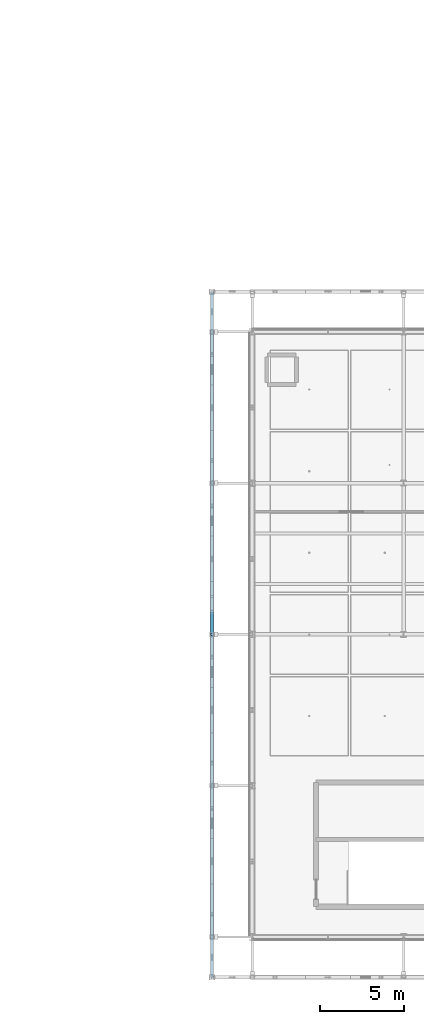
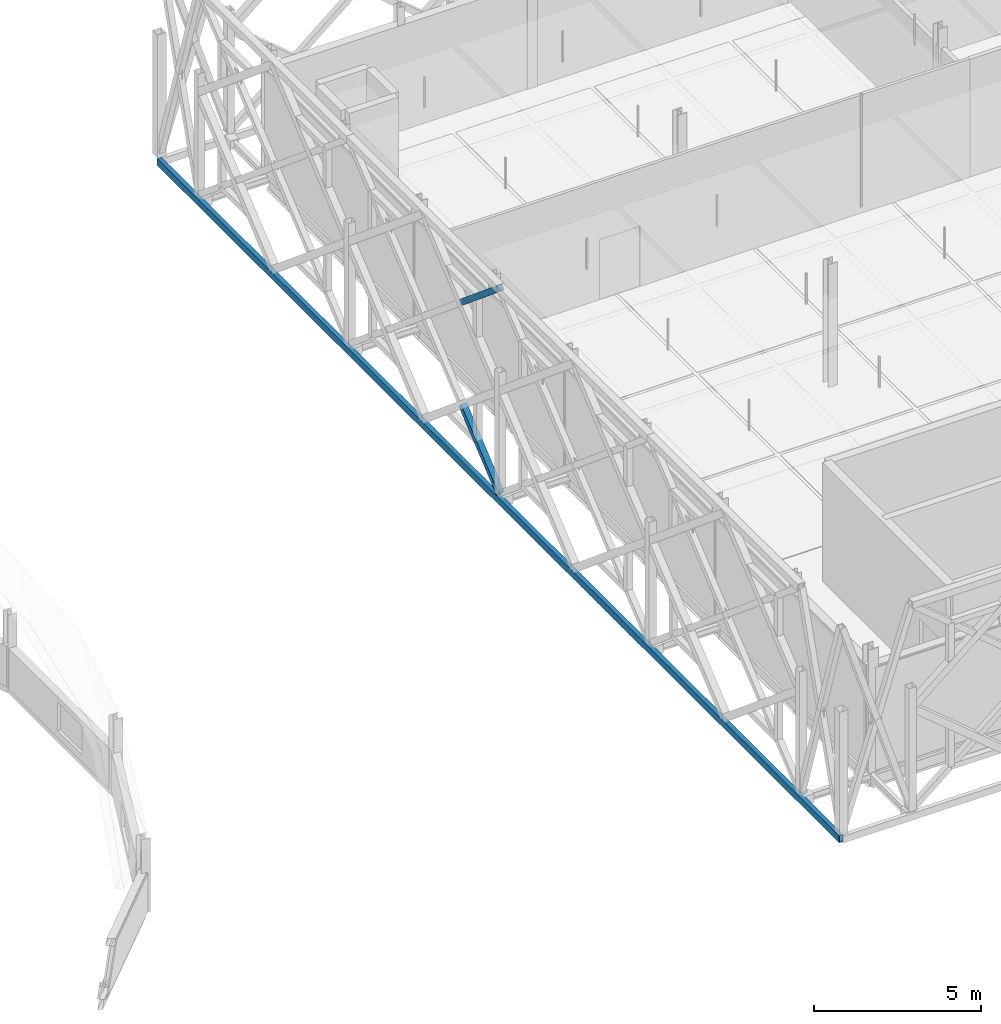
# One storey, part 13 of 66: 2 members, 1 beam.
"""IFC4 building model written with IfcOpenShell, lengths in metres."""

import ifcopenshell
import ifcopenshell.guid

model = None  # the IFC model being written
_history = None  # IfcOwnerHistory: only IFC2X3 demands one
_inside = {}  # id of a spatial element -> (the spatial element, [elements in it])
_under = {}  # id of a project, library or spatial element -> (it, [spatial elements below it])
_declared = {}  # id of a project -> (the project, [libraries it declares])
_typed = {}  # id of a type object -> (the type object, [elements of that type])
_made_of = {}  # id of a material, layer set ... -> (it, [elements and type objects made of it])


def new_model(schema):
    """Start an empty IFC model of exactly this schema.

    Asked for "IFC4X3", IfcOpenShell would pick the latest addendum, in which some entities
    have other attributes; the version numbers below select the first issue.
    IFC2X3 requires an IfcOwnerHistory on every rooted entity: one is made here for all.
    """
    global model, _history
    if schema == "IFC4X3":
        model = ifcopenshell.file(schema_version=(4, 3, 0, 0))
    else:
        model = ifcopenshell.file(schema=schema)
    _inside.clear()
    _under.clear()
    _declared.clear()
    _typed.clear()
    _made_of.clear()
    _history = None
    if model.schema == "IFC2X3":
        org = make("IfcOrganization", Name="unknown")
        user = make(
            "IfcPersonAndOrganization",
            ThePerson=make("IfcPerson", FamilyName="unknown"),
            TheOrganization=org,
        )
        app = make(
            "IfcApplication",
            ApplicationDeveloper=org,
            Version="unknown",
            ApplicationFullName="unknown",
            ApplicationIdentifier="unknown",
        )
        _history = make(
            "IfcOwnerHistory",
            OwningUser=user,
            OwningApplication=app,
            ChangeAction="ADDED",
            CreationDate=0,
        )
    return model


def make(cls, **values):
    """One entity of the class cls with the attributes given. An attribute that is None is left unset."""
    return model.create_entity(
        cls, **{name: value for name, value in values.items() if value is not None}
    )


def rooted(cls, **values):
    """An entity with a GlobalId (a new one), such as an element, a storey or a relation."""
    return make(cls, GlobalId=ifcopenshell.guid.new(), OwnerHistory=_history, **values)


def si_unit(unit_type, name, prefix=None):
    """IfcSIUnit, for example si_unit("LENGTHUNIT", "METRE", prefix="MILLI")."""
    return make("IfcSIUnit", UnitType=unit_type, Prefix=prefix, Name=name)


def assignment(units):
    """IfcUnitAssignment: the units of a project."""
    return None if units is None else make("IfcUnitAssignment", Units=units)


def point(xyz):
    """IfcCartesianPoint."""
    return None if xyz is None else make("IfcCartesianPoint", Coordinates=xyz)


def direction(xyz):
    """IfcDirection."""
    return None if xyz is None else make("IfcDirection", DirectionRatios=xyz)


def frame(location, z_axis=None, x_axis=None):
    """IfcAxis2Placement3D, a coordinate frame: its origin and axes. An axis left out is left unset."""
    return make(
        "IfcAxis2Placement3D",
        Location=point(location),
        Axis=direction(z_axis),
        RefDirection=direction(x_axis),
    )


def frame_2d(location, x_axis=None):
    """IfcAxis2Placement2D, a coordinate frame in the plane: its origin and x axis."""
    return make(
        "IfcAxis2Placement2D", Location=point(location), RefDirection=direction(x_axis)
    )


def origin():
    """The frame at (0, 0, 0) with its axes left unset."""
    return frame((0.0, 0.0, 0.0))


def origin_2d():
    """The frame at (0, 0) in the plane with its x axis left unset."""
    return frame_2d((0.0, 0.0))


def place(relative_to, where):
    """IfcLocalPlacement: puts the frame where relative to a parent placement (None: the world)."""
    return make(
        "IfcLocalPlacement", PlacementRelTo=relative_to, RelativePlacement=where
    )


def context(
    kind, dimensions, precision=None, world=None, true_north=None, identifier=None
):
    """IfcGeometricRepresentationContext, for example the 3D "Model" context."""
    return make(
        "IfcGeometricRepresentationContext",
        ContextIdentifier=identifier,
        ContextType=kind,
        CoordinateSpaceDimension=dimensions,
        Precision=precision,
        WorldCoordinateSystem=world,
        TrueNorth=true_north,
    )


def subcontext(parent, identifier, kind, view, scale=None):
    """IfcGeometricRepresentationSubContext, for example "Body" below "Model"."""
    return make(
        "IfcGeometricRepresentationSubContext",
        ContextIdentifier=identifier,
        ContextType=kind,
        ParentContext=parent,
        TargetScale=scale,
        TargetView=view,
    )


def project(units=None, contexts=None):
    """IfcProject with its units and contexts."""
    return rooted(
        "IfcProject",
        Name="project",
        RepresentationContexts=contexts,
        UnitsInContext=assignment(units),
    )


def spatial(cls, under=None, at=None, **own):
    """A site, building, storey or space (cls), placed at a placement, below another one or the project."""
    s = rooted(cls, ObjectPlacement=at, **own)
    if under is not None:
        _under.setdefault(under.id(), (under, []))[1].append(s)
    return s


def profile(cls, at=None, kind="AREA", **sizes):
    """A parametric profile (cls). Its sizes go by their IFC names, for example OverallWidth=200.0."""
    return make(cls, ProfileType=kind, Position=at, **sizes)


def hollow_rectangle(**sizes):
    """IfcRectangleHollowProfileDef."""
    return profile("IfcRectangleHollowProfileDef", **sizes)


def extrude(swept, where, along, depth):
    """IfcExtrudedAreaSolid: the profile swept, set in the frame where, extruded along a direction by depth."""
    return make(
        "IfcExtrudedAreaSolid",
        SweptArea=swept,
        Position=where,
        ExtrudedDirection=direction(along),
        Depth=depth,
    )


def shape(context_of_items, identifier, shape_type, items):
    """IfcShapeRepresentation: the items that make up one representation, for example the "Body"."""
    return make(
        "IfcShapeRepresentation",
        ContextOfItems=context_of_items,
        RepresentationIdentifier=identifier,
        RepresentationType=shape_type,
        Items=items,
    )


def material(Name=None, Category=None):
    """IfcMaterial."""
    return make("IfcMaterial", Name=Name, Category=Category)


def material_profile(
    of_material, cross_section, Name=None, Category=None, Priority=None
):
    """IfcMaterialProfile: a cross section and its material."""
    return make(
        "IfcMaterialProfile",
        Name=Name,
        Material=of_material,
        Profile=cross_section,
        Priority=Priority,
        Category=Category,
    )


def profile_set(profiles, Name=None, composite=None):
    """IfcMaterialProfileSet."""
    return make(
        "IfcMaterialProfileSet",
        Name=Name,
        MaterialProfiles=profiles,
        CompositeProfile=composite,
    )


def made_of(thing, what):
    """Note that an element or type object is made of a material, layer set ...; save() writes the relation."""
    if what is not None:
        _made_of.setdefault(what.id(), (what, []))[1].append(thing)
    return thing


def type_object(cls, material=None, **own):
    """A type object (cls), such as IfcWallType, which elements share."""
    return made_of(rooted(cls, **own), material)


def element(
    cls,
    number,
    at=None,
    inside=None,
    cuts=None,
    type_object=None,
    material=None,
    context=None,
    identifier="Body",
    shape_type=None,
    held_by="IfcProductDefinitionShape",
    body=None,
    shapes=None,
    **own,
):
    """One element of the class cls, such as IfcWall. Its Tag is "e" and its number.

    at: its placement. inside: the storey or other place that contains it. cuts: it is an
    opening in that element (IfcRelVoidsElement). A single representation is given by context,
    identifier, shape_type and body (its items); several are given by shapes. held_by: the class
    of the entity that holds the representations. save() writes the other relations.
    """
    e = rooted(cls, Tag="e%d" % number, ObjectPlacement=at, **own)
    if body is not None:
        shapes = [shape(context, identifier, shape_type, body)]
    if shapes is not None:
        e.Representation = make(held_by, Representations=shapes)
    if inside is not None:
        _inside.setdefault(inside.id(), (inside, []))[1].append(e)
    if cuts is not None:
        rooted(
            "IfcRelVoidsElement", RelatingBuildingElement=cuts, RelatedOpeningElement=e
        )
    if type_object is not None:
        _typed.setdefault(type_object.id(), (type_object, []))[1].append(e)
    return made_of(e, material)


def aggregate(whole, parts):
    """IfcRelAggregates: a whole, such as a stair, and the parts it consists of."""
    return rooted("IfcRelAggregates", RelatingObject=whole, RelatedObjects=parts)


def save(model, path):
    """Write the relations noted so far, then the file.

    IfcRelAggregates (storeys below a building ...), IfcRelContainedInSpatialStructure (elements
    in a storey), IfcRelDefinesByType, IfcRelAssociatesMaterial and IfcRelDeclares: one each for
    every whole, place, type object, material and project.
    """
    for whole, parts in _under.values():
        aggregate(whole, parts)
    for where, things in _inside.values():
        rooted(
            "IfcRelContainedInSpatialStructure",
            RelatedElements=things,
            RelatingStructure=where,
        )
    for kind, things in _typed.values():
        rooted("IfcRelDefinesByType", RelatedObjects=things, RelatingType=kind)
    for what, things in _made_of.values():
        rooted("IfcRelAssociatesMaterial", RelatedObjects=things, RelatingMaterial=what)
    for by, libraries in _declared.values():
        rooted("IfcRelDeclares", RelatingContext=by, RelatedDefinitions=libraries)
    model.write(path)


model = new_model("IFC4")

# Units and contexts
model_context = context("Model", 3, precision=1e-05, world=origin(), true_north=direction((0.0, 1.0)))
body_context = subcontext(model_context, "Body", "Model", "MODEL_VIEW")
ifc_project = project(units=[si_unit("LENGTHUNIT", "METRE"), si_unit("AREAUNIT", "SQUARE_METRE"), si_unit("VOLUMEUNIT", "CUBIC_METRE"), si_unit("PLANEANGLEUNIT", "RADIAN"), si_unit("MASSUNIT", "GRAM", prefix="KILO"), si_unit("THERMODYNAMICTEMPERATUREUNIT", "KELVIN"), si_unit("POWERUNIT", "WATT")], contexts=[model_context])

# Site, building, storey
site_placement = place(None, origin())
site = spatial("IfcSite", under=ifc_project, at=site_placement, CompositionType="ELEMENT")
building_placement = place(site_placement, origin())
building = spatial("IfcBuilding", under=site, at=building_placement, Name="Tallowbark Science Centre", CompositionType="ELEMENT")
storey_placement = place(building_placement, frame((0.0, 0.0, 18.89990234375)))
storey = spatial("IfcBuildingStorey", under=building, at=storey_placement, Name="L04", CompositionType="ELEMENT", Elevation=18.89990234375)

# Members
ifc_material = material(Name="White Architectural Painted Steel Grade C350L0 (350 MPa)", Category="steel")
ifc_material_profile_1 = material_profile(ifc_material, hollow_rectangle(XDim=0.199951171875, YDim=0.199951171875, WallThickness=0.009033203125, at=origin_2d()), Name="200x200x9.0SHS")
ifc_profile_set_1 = profile_set([ifc_material_profile_1], Name="White Architectural Painted Steel Grade C350L0 (350 MPa)")
member_type = type_object("IfcMemberType", Name="SCR-STAR139", PredefinedType="BRACE", material=ifc_profile_set_1)
for number, where, z_axis, x_axis, name in (
    (1, (56.10009765625, 22.5, 0.0), (0.0, 0.768221279597, 0.640184399664), (-1.0, 0.0, 0.0), "Star Screen Continuous X-Diagonal D1A W-50"),
    (2, (56.10009765625, 22.5, 7.5), (0.0, 0.768221279597, -0.640184399664), (-1.0, 0.0, 0.0), "Star Screen Split X-Diagonal D2A W-50"),
):
    element("IfcMember", number, at=place(storey_placement, frame(where, z_axis=z_axis, x_axis=x_axis)), inside=storey, type_object=member_type, Name=name, PredefinedType="BRACE", context=body_context, shape_type="SweptSolid", body=[
        extrude(hollow_rectangle(XDim=0.199951171875, YDim=0.199951171875, WallThickness=0.009033203125, at=origin_2d()), origin(), (0.0, 0.0, 1.0), 2.928955078125),
    ])

# Beam
ifc_material_profile_2 = material_profile(ifc_material, hollow_rectangle(XDim=0.14990234375, YDim=0.25, WallThickness=0.009033203125, at=origin_2d()), Name="250x150x9.0RHS")
ifc_profile_set_2 = profile_set([ifc_material_profile_2], Name="White Architectural Painted Steel Grade C350L0 (350 MPa)")
beam_type = type_object("IfcBeamType", Name="SPN-RHS250", PredefinedType="SPANDREL", material=ifc_profile_set_2)
beam_placement = place(storey_placement, frame((56.10009765625, 2.10009765625, -0.25), z_axis=(0.0, 1.0, 0.0), x_axis=(-1.0, 0.0, 0.0)))
element("IfcBeam", 3, at=beam_placement, inside=storey, type_object=beam_type, Name="Star Screen Perimeter Ring Beam W-L04", PredefinedType="SPANDREL", context=body_context, shape_type="SweptSolid", body=[
    extrude(hollow_rectangle(XDim=0.14990234375, YDim=0.25, WallThickness=0.009033203125, at=origin_2d()), origin(), (0.0, 0.0, 1.0), 40.7998046875),
])

save(model, "model.ifc")
